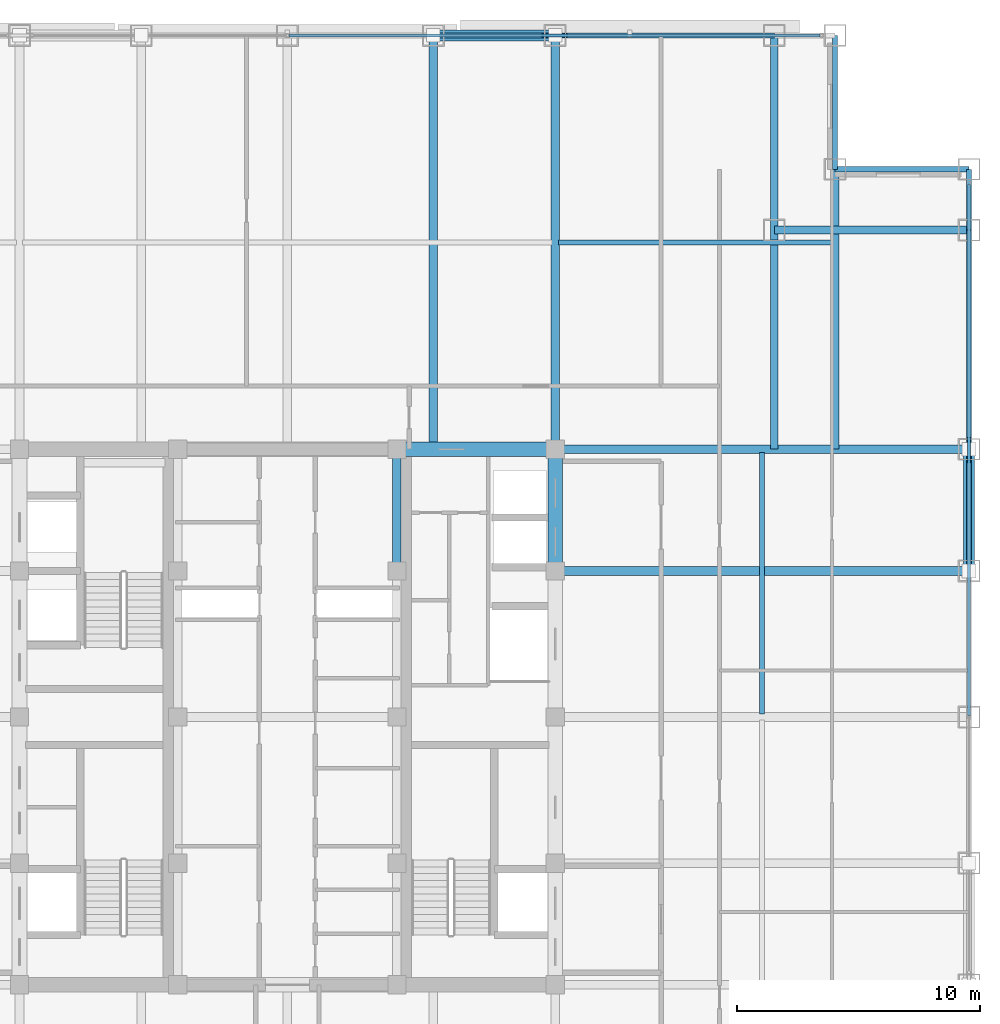
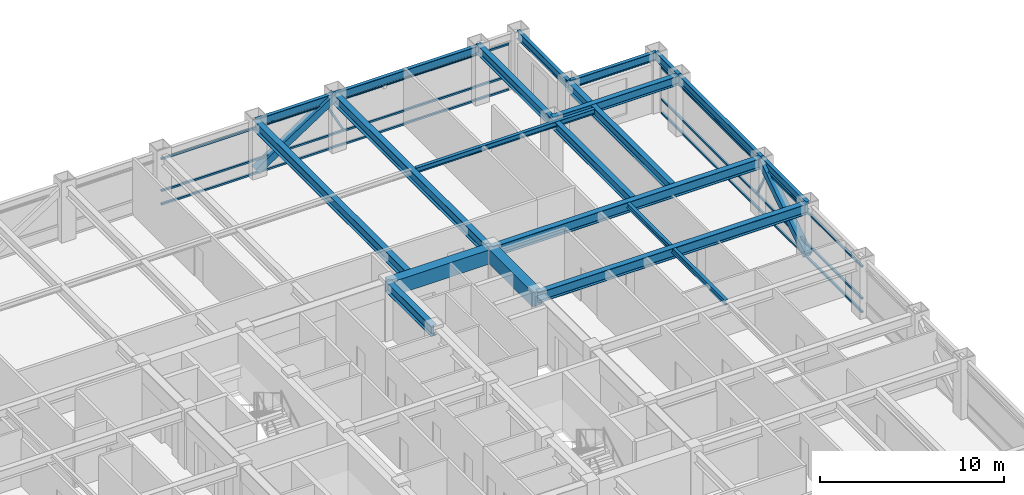
# One storey, part 15 of 27: 19 beams, 10 members, 2 elements without a shape of their own.
"""IFC4 building model written with IfcOpenShell, lengths in metres."""

from ifc_helpers import new_model, si_unit, direction, frame, origin, origin_2d, place, context, subcontext, project, spatial, rectangle, hollow_rectangle, i_section, extrude, source, transform, mapped, material, material_profile, profile_set, type_object, element, aggregate, save


model = new_model("IFC4")

# Units and contexts
model_context = context("Model", 3, precision=1e-05, world=origin(), true_north=direction((0.0, 1.0)))
body_context = subcontext(model_context, "Body", "Model", "MODEL_VIEW")
ifc_project = project(units=[si_unit("LENGTHUNIT", "METRE"), si_unit("AREAUNIT", "SQUARE_METRE"), si_unit("VOLUMEUNIT", "CUBIC_METRE"), si_unit("PLANEANGLEUNIT", "RADIAN"), si_unit("MASSUNIT", "GRAM", prefix="KILO")], contexts=[model_context])

# Site, building, storey
site_placement = place(None, origin())
site = spatial("IfcSite", under=ifc_project, at=site_placement, CompositionType="ELEMENT")
building_placement = place(site_placement, origin())
building = spatial("IfcBuilding", under=site, at=building_placement, Name="Khorayat Bourse Tower", CompositionType="ELEMENT")
storey_placement = place(building_placement, frame((0.0, 0.0, 317.5)))
storey = spatial("IfcBuildingStorey", under=building, at=storey_placement, Name="L75", CompositionType="ELEMENT", Elevation=317.5)

# Beams
ifc_material_1 = material(Name="Steel ASTM A992 Grade 50", Category="steel")
ifc_material_profile_1 = material_profile(ifc_material_1, i_section(OverallWidth=0.35498046875, OverallDepth=0.695068359375, WebThickness=0.015380859375, FlangeThickness=0.02490234375, FilletRadius=0.01806640625, at=origin_2d()), Name="W690X217")
ifc_profile_set_1 = profile_set([ifc_material_profile_1], Name="Steel ASTM A992 Grade 50")
beam_type_1 = type_object("IfcBeamType", Name="BM-GIRD-690", PredefinedType="BEAM", material=ifc_profile_set_1)
shared_shape_1 = source(origin(), body_context, "Body", "SweptSolid", [
    extrude(i_section(OverallWidth=0.35498046875, OverallDepth=0.695068359375, WebThickness=0.015380859375, FlangeThickness=0.02490234375, FilletRadius=0.01806640625, at=origin_2d()), origin(), (0.0, 0.0, 1.0), 5.0),
])
beam_1_placement = place(storey_placement, frame((4.5, 6.0, 3.4326171875), z_axis=(0.0, 1.0, 0.0), x_axis=(-1.0, 0.0, 0.0)))
element("IfcBeam", 1, at=beam_1_placement, inside=storey, type_object=beam_type_1, Name="L75 BM-GIRD-690 BM-L75-CRX-12", PredefinedType="BEAM", context=body_context, shape_type="MappedRepresentation", body=[
    mapped(shared_shape_1, transform((0.0, 0.0, 0.0), scale=1.0)),
])
ifc_material_profile_2 = material_profile(ifc_material_1, i_section(OverallWidth=0.324951171875, OverallDepth=0.615966796875, WebThickness=0.013916015625, FlangeThickness=0.021484375, FilletRadius=0.01611328125, at=origin_2d()), Name="W610X174")
ifc_profile_set_2 = profile_set([ifc_material_profile_2], Name="Steel ASTM A992 Grade 50")
beam_type_2 = type_object("IfcBeamType", Name="BM-GIRD-610", PredefinedType="BEAM", material=ifc_profile_set_2)
shared_shape_2 = source(origin(), body_context, "Body", "SweptSolid", [
    extrude(i_section(OverallWidth=0.324951171875, OverallDepth=0.615966796875, WebThickness=0.013916015625, FlangeThickness=0.021484375, FilletRadius=0.01611328125, at=origin_2d()), origin(), (0.0, 0.0, 1.0), 17.0),
])
beam_2_placement = place(storey_placement, frame((20.0, 11.0, 3.471923828125), z_axis=(0.0, 1.0, 0.0), x_axis=(-1.0, 0.0, 0.0)))
element("IfcBeam", 2, at=beam_2_placement, inside=storey, type_object=beam_type_2, Name="L75 BM-GIRD-610 BM-L75-CNRY-087", PredefinedType="BEAM", context=body_context, shape_type="MappedRepresentation", body=[
    mapped(shared_shape_2, transform((0.0, 0.0, 0.0), scale=1.0)),
])
ifc_material_2 = material(Name="Concrete C60/75", Category="concrete")
ifc_material_profile_3 = material_profile(ifc_material_2, rectangle(XDim=0.60009765625, YDim=0.949951171875, at=origin_2d()), Name="RC 600x950")
ifc_profile_set_3 = profile_set([ifc_material_profile_3], Name="Concrete C60/75")
beam_type_3 = type_object("IfcBeamType", Name="BM-COUP-950", PredefinedType="BEAM", material=ifc_profile_set_3)
shared_shape_3 = source(origin(), body_context, "Body", "SweptSolid", [
    extrude(rectangle(XDim=0.60009765625, YDim=0.949951171875, at=origin_2d()), origin(), (0.0, 0.0, 1.0), 5.0),
])
beam_3_placement = place(storey_placement, frame((11.0, 6.0, 3.304931640625), z_axis=(0.0, 1.0, 0.0), x_axis=(-1.0, 0.0, 0.0)))
element("IfcBeam", 3, at=beam_3_placement, inside=storey, type_object=beam_type_3, Name="L75 BM-COUP-950 BM-L75-CRX-16", PredefinedType="BEAM", context=body_context, shape_type="MappedRepresentation", body=[
    mapped(shared_shape_3, transform((0.0, 0.0, 0.0), scale=1.0)),
])
shared_shape_4 = source(origin(), body_context, "Body", "SweptSolid", [
    extrude(rectangle(XDim=0.60009765625, YDim=0.949951171875, at=origin_2d()), origin(), (0.0, 0.0, 1.0), 6.5),
])
beam_4_placement = place(storey_placement, frame((4.5, 11.0, 3.304931640625), z_axis=(1.0, 0.0, 0.0), x_axis=(0.0, 1.0, 0.0)))
element("IfcBeam", 4, at=beam_4_placement, inside=storey, type_object=beam_type_3, Name="L75 BM-COUP-950 BM-L75-CRY-22", PredefinedType="BEAM", context=body_context, shape_type="MappedRepresentation", body=[
    mapped(shared_shape_4, transform((0.0, 0.0, 0.0), scale=1.0)),
])

# Members
ifc_material_3 = material(Name="Steel EN 10025-4 S460M", Category="steel")
ifc_material_profile_4 = material_profile(ifc_material_3, hollow_rectangle(XDim=0.449951171875, YDim=0.449951171875, WallThickness=0.02490234375, at=origin_2d()), Name="HSS 450x450x25")
ifc_profile_set_4 = profile_set([ifc_material_profile_4], Name="Steel EN 10025-4 S460M")
member_type_1 = type_object("IfcMemberType", Name="MBR-TUBE-450", PredefinedType="BRACE", material=ifc_profile_set_4)
shared_shape_5 = source(origin(), body_context, "Body", "SweptSolid", [
    extrude(hollow_rectangle(XDim=0.449951171875, YDim=0.449951171875, WallThickness=0.02490234375, at=origin_2d()), origin(), (0.0, 0.0, 1.0), 5.979736328125),
])
for number, where, z_axis, x_axis, name in (
    (5, (6.0, 28.0, 0.25), (0.836141536525, 0.0, 0.548513747227), (0.0, 1.0, 0.0), "L75 Perimeter Tube Brace 04"),
    (6, (28.0, 6.0, 0.25), (0.0, 0.836141536525, 0.548513747227), (-1.0, 0.0, 0.0), "L75 Perimeter Tube Brace 08"),
):
    element("IfcMember", number, at=place(storey_placement, frame(where, z_axis=z_axis, x_axis=x_axis)), inside=storey, type_object=member_type_1, Name=name, PredefinedType="BRACE", context=body_context, shape_type="MappedRepresentation", body=[
        mapped(shared_shape_5, transform((0.0, 0.0, 0.0), scale=1.0)),
    ])

# Beams
shared_shape_6 = source(origin(), body_context, "Body", "SweptSolid", [
    extrude(i_section(OverallWidth=0.35498046875, OverallDepth=0.695068359375, WebThickness=0.015380859375, FlangeThickness=0.02490234375, FilletRadius=0.01806640625, at=origin_2d()), origin(), (0.0, 0.0, 1.0), 17.0),
])
for number, where, z_axis, x_axis, name in (
    (7, (6.0, 11.0, 3.3125), (0.0, 1.0, 0.0), (-1.0, 0.0, 0.0), "L75 BM-GIRD-690 BM-L75-RADY-070"),
    (8, (11.0, 11.0, 3.3125), (0.0, 1.0, 0.0), (-1.0, 0.0, 0.0), "L75 BM-GIRD-690 BM-L75-RADY-072"),
    (9, (11.0, 6.0, 3.4326171875), (1.0, 0.0, 0.0), (0.0, 1.0, 0.0), "L75 BM-GIRD-690 BM-L75-RADX-080"),
    (10, (11.0, 11.0, 3.4326171875), (1.0, 0.0, 0.0), (0.0, 1.0, 0.0), "L75 BM-GIRD-690 BM-L75-RADX-082"),
):
    element("IfcBeam", number, at=place(storey_placement, frame(where, z_axis=z_axis, x_axis=x_axis)), inside=storey, type_object=beam_type_1, Name=name, PredefinedType="BEAM", context=body_context, shape_type="MappedRepresentation", body=[
        mapped(shared_shape_6, transform((0.0, 0.0, 0.0), scale=1.0)),
    ])
shared_shape_7 = source(origin(), body_context, "Body", "SweptSolid", [
    extrude(i_section(OverallWidth=0.324951171875, OverallDepth=0.615966796875, WebThickness=0.013916015625, FlangeThickness=0.021484375, FilletRadius=0.01611328125, at=origin_2d()), origin(), (0.0, 0.0, 1.0), 11.5),
])
beam_5_placement = place(storey_placement, frame((22.5, 11.0, 3.471923828125), z_axis=(0.0, 1.0, 0.0), x_axis=(-1.0, 0.0, 0.0)))
element("IfcBeam", 11, at=beam_5_placement, inside=storey, type_object=beam_type_2, Name="L75 BM-GIRD-610 BM-L75-CNRY-091", PredefinedType="BEAM", context=body_context, shape_type="MappedRepresentation", body=[
    mapped(shared_shape_7, transform((0.0, 0.0, 0.0), scale=1.0)),
])
shared_shape_8 = source(origin(), body_context, "Body", "SweptSolid", [
    extrude(i_section(OverallWidth=0.324951171875, OverallDepth=0.615966796875, WebThickness=0.013916015625, FlangeThickness=0.021484375, FilletRadius=0.01611328125, at=origin_2d()), origin(), (0.0, 0.0, 1.0), 8.0),
])
beam_6_placement = place(storey_placement, frame((20.0, 20.0, 3.471923828125), z_axis=(1.0, 0.0, 0.0), x_axis=(0.0, 1.0, 0.0)))
element("IfcBeam", 12, at=beam_6_placement, inside=storey, type_object=beam_type_2, Name="L75 BM-GIRD-610 BM-L75-CNRX-094", PredefinedType="BEAM", context=body_context, shape_type="MappedRepresentation", body=[
    mapped(shared_shape_8, transform((0.0, 0.0, 0.0), scale=1.0)),
])
ifc_material_profile_5 = material_profile(ifc_material_1, i_section(OverallWidth=0.202880859375, OverallDepth=0.346923828125, WebThickness=0.0078125, FlangeThickness=0.013427734375, FilletRadius=0.010009765625, at=origin_2d()), Name="W360X64")
ifc_profile_set_5 = profile_set([ifc_material_profile_5], Name="Steel ASTM A992 Grade 50")
beam_type_4 = type_object("IfcBeamType", Name="BM-JOIST-360", PredefinedType="JOIST", material=ifc_profile_set_5)
shared_shape_9 = source(origin(), body_context, "Body", "SweptSolid", [
    extrude(i_section(OverallWidth=0.202880859375, OverallDepth=0.346923828125, WebThickness=0.0078125, FlangeThickness=0.013427734375, FilletRadius=0.010009765625, at=origin_2d()), origin(), (0.0, 0.0, 1.0), 11.240234375),
])
beam_7_placement = place(storey_placement, frame((11.1298828125, 19.5, 3.6064453125), z_axis=(1.0, 0.0, 0.0), x_axis=(0.0, 1.0, 0.0)))
element("IfcBeam", 13, at=beam_7_placement, inside=storey, type_object=beam_type_4, Name="L75 BM-JOIST-360 BM-L75-JSTX-101", PredefinedType="JOIST", context=body_context, shape_type="MappedRepresentation", body=[
    mapped(shared_shape_9, transform((0.0, 0.0, 0.0), scale=1.0)),
])
shared_shape_10 = source(origin(), body_context, "Body", "SweptSolid", [
    extrude(i_section(OverallWidth=0.202880859375, OverallDepth=0.346923828125, WebThickness=0.0078125, FlangeThickness=0.013427734375, FilletRadius=0.010009765625, at=origin_2d()), origin(), (0.0, 0.0, 1.0), 10.740234375),
])
beam_8_placement = place(storey_placement, frame((19.5, 0.1298828125, 3.6064453125), z_axis=(0.0, 1.0, 0.0), x_axis=(-1.0, 0.0, 0.0)))
element("IfcBeam", 14, at=beam_8_placement, inside=storey, type_object=beam_type_4, Name="L75 BM-JOIST-360 BM-L75-JSTY-105", PredefinedType="JOIST", context=body_context, shape_type="MappedRepresentation", body=[
    mapped(shared_shape_10, transform((0.0, 0.0, 0.0), scale=1.0)),
])
ifc_material_profile_6 = material_profile(ifc_material_1, i_section(OverallWidth=0.214111328125, OverallDepth=0.549072265625, WebThickness=0.0146484375, FlangeThickness=0.023681640625, FilletRadius=0.013916015625, at=origin_2d()), Name="W530X138")
ifc_profile_set_6 = profile_set([ifc_material_profile_6], Name="Steel ASTM A992 Grade 50")
beam_type_5 = type_object("IfcBeamType", Name="BM-SPAN-530", PredefinedType="SPANDREL", material=ifc_profile_set_6)
shared_shape_11 = source(origin(), body_context, "Body", "SweptSolid", [
    extrude(i_section(OverallWidth=0.214111328125, OverallDepth=0.549072265625, WebThickness=0.0146484375, FlangeThickness=0.023681640625, FilletRadius=0.013916015625, at=origin_2d()), origin(), (0.0, 0.0, 1.0), 2.5),
])
beam_9_placement = place(storey_placement, frame((28.0, 20.0, 3.505615234375), z_axis=(0.0, 1.0, 0.0), x_axis=(-1.0, 0.0, 0.0)))
element("IfcBeam", 15, at=beam_9_placement, inside=storey, type_object=beam_type_5, Name="L75 BM-SPAN-530 BM-L75-SPN-041", PredefinedType="SPANDREL", context=body_context, shape_type="MappedRepresentation", body=[
    mapped(shared_shape_11, transform((0.0, 0.0, 0.0), scale=1.0)),
])
shared_shape_12 = source(origin(), body_context, "Body", "SweptSolid", [
    extrude(i_section(OverallWidth=0.214111328125, OverallDepth=0.549072265625, WebThickness=0.0146484375, FlangeThickness=0.023681640625, FilletRadius=0.013916015625, at=origin_2d()), origin(), (0.0, 0.0, 1.0), 9.0),
])
for number, where, z_axis, x_axis, name in (
    (16, (28.0, 11.0, 3.505615234375), (0.0, 1.0, 0.0), (-1.0, 0.0, 0.0), "L75 BM-SPAN-530 BM-L75-SPN-040"),
    (17, (11.0, 28.0, 3.385498046875), (1.0, 0.0, 0.0), (0.0, 1.0, 0.0), "L75 BM-SPAN-530 BM-L75-SPN-045"),
):
    element("IfcBeam", number, at=place(storey_placement, frame(where, z_axis=z_axis, x_axis=x_axis)), inside=storey, type_object=beam_type_5, Name=name, PredefinedType="SPANDREL", context=body_context, shape_type="MappedRepresentation", body=[
        mapped(shared_shape_12, transform((0.0, 0.0, 0.0), scale=1.0)),
    ])
shared_shape_13 = source(origin(), body_context, "Body", "SweptSolid", [
    extrude(i_section(OverallWidth=0.214111328125, OverallDepth=0.549072265625, WebThickness=0.0146484375, FlangeThickness=0.023681640625, FilletRadius=0.013916015625, at=origin_2d()), origin(), (0.0, 0.0, 1.0), 5.0),
])
for number, where, z_axis, x_axis, name in (
    (18, (28.0, 6.0, 3.505615234375), (0.0, 1.0, 0.0), (-1.0, 0.0, 0.0), "L75 BM-SPAN-530 BM-L75-SPN-039"),
    (19, (6.0, 28.0, 3.385498046875), (1.0, 0.0, 0.0), (0.0, 1.0, 0.0), "L75 BM-SPAN-530 BM-L75-SPN-046"),
):
    element("IfcBeam", number, at=place(storey_placement, frame(where, z_axis=z_axis, x_axis=x_axis)), inside=storey, type_object=beam_type_5, Name=name, PredefinedType="SPANDREL", context=body_context, shape_type="MappedRepresentation", body=[
        mapped(shared_shape_13, transform((0.0, 0.0, 0.0), scale=1.0)),
    ])
shared_shape_14 = source(origin(), body_context, "Body", "SweptSolid", [
    extrude(i_section(OverallWidth=0.214111328125, OverallDepth=0.549072265625, WebThickness=0.0146484375, FlangeThickness=0.023681640625, FilletRadius=0.013916015625, at=origin_2d()), origin(), (0.0, 0.0, 1.0), 5.5),
])
for number, where, z_axis, x_axis, name in (
    (20, (22.5, 22.5, 3.505615234375), (1.0, 0.0, 0.0), (0.0, 1.0, 0.0), "L75 BM-SPAN-530 BM-L75-SPN-042"),
    (21, (22.5, 22.5, 3.505615234375), (0.0, 1.0, 0.0), (-1.0, 0.0, 0.0), "L75 BM-SPAN-530 BM-L75-SPN-043"),
):
    element("IfcBeam", number, at=place(storey_placement, frame(where, z_axis=z_axis, x_axis=x_axis)), inside=storey, type_object=beam_type_5, Name=name, PredefinedType="SPANDREL", context=body_context, shape_type="MappedRepresentation", body=[
        mapped(shared_shape_14, transform((0.0, 0.0, 0.0), scale=1.0)),
    ])

# Curtain wall, member
ifc_material_4 = material(Name="Aluminium EN AW-6063 T6", Category="aluminium")
curtain_wall_type = type_object("IfcCurtainWallType", Name="CW-SYS-04", PredefinedType="NOTDEFINED", material=ifc_material_4)
curtain_wall_1_placement = place(storey_placement, origin())
curtain_wall_1 = element("IfcCurtainWall", 22, at=curtain_wall_1_placement, inside=storey, type_object=curtain_wall_type, Name="L75 Curtain Wall CW-L75-N1", PredefinedType="NOTDEFINED")
ifc_material_profile_7 = material_profile(ifc_material_4, hollow_rectangle(XDim=0.1201171875, YDim=0.1201171875, WallThickness=0.0048828125, at=origin_2d()), Name="ALU 120x120x5")
ifc_profile_set_7 = profile_set([ifc_material_profile_7], Name="Aluminium EN AW-6063 T6")
member_type_2 = type_object("IfcMemberType", Name="CWM-DIAG-120", PredefinedType="MULLION", material=ifc_profile_set_7)
shared_shape_15 = source(origin(), body_context, "Body", "SweptSolid", [
    extrude(hollow_rectangle(XDim=0.1201171875, YDim=0.1201171875, WallThickness=0.0048828125, at=origin_2d()), origin(), (0.0, 0.0, 1.0), 2.0791015625),
])
member_1_placement = place(storey_placement, frame((11.4541015625, 28.0, 1.090087890625), z_axis=(-0.465717394116, 0.0, 0.884933505309), x_axis=(0.0, -1.0, 0.0)))
member_1 = element("IfcMember", 23, at=member_1_placement, type_object=member_type_2, Name="CW-L75-N1 Faceted Diagonal Mullion 2", PredefinedType="MULLION", context=body_context, shape_type="MappedRepresentation", body=[
    mapped(shared_shape_15, transform((0.0, 0.0, 0.0), scale=1.0)),
])

curtain_wall_2_placement = place(storey_placement, origin())
curtain_wall_2 = element("IfcCurtainWall", 24, at=curtain_wall_2_placement, inside=storey, type_object=curtain_wall_type, Name="L75 Curtain Wall CW-L75-E1", PredefinedType="NOTDEFINED")
member_2_placement = place(storey_placement, frame((28.0, 11.4541015625, 1.090087890625), z_axis=(0.0, -0.465717394116, 0.884933505309), x_axis=(1.0, 0.0, 0.0)))
member_2 = element("IfcMember", 25, at=member_2_placement, type_object=member_type_2, Name="CW-L75-E1 Faceted Diagonal Mullion 2", PredefinedType="MULLION", context=body_context, shape_type="MappedRepresentation", body=[
    mapped(shared_shape_15, transform((0.0, 0.0, 0.0), scale=1.0)),
])

# Member
ifc_material_profile_8 = material_profile(ifc_material_4, hollow_rectangle(XDim=0.1201171875, YDim=0.1201171875, WallThickness=0.0048828125, at=origin_2d()), Name="ALU 120x120x5")
ifc_profile_set_8 = profile_set([ifc_material_profile_8], Name="Aluminium EN AW-6063 T6")
member_type_3 = type_object("IfcMemberType", Name="CWT-HORZ-120", PredefinedType="USERDEFINED", material=ifc_profile_set_8)
shared_shape_16 = source(origin(), body_context, "Body", "SweptSolid", [
    extrude(hollow_rectangle(XDim=0.1201171875, YDim=0.1201171875, WallThickness=0.0048828125, at=origin_2d()), origin(), (0.0, 0.0, 1.0), 21.81982421875),
])
member_3_placement = place(storey_placement, frame((0.06005859375, 28.0, 0.06005859375), z_axis=(1.0, 0.0, 0.0), x_axis=(0.0, 1.0, 0.0)))
member_3 = element("IfcMember", 26, at=member_3_placement, type_object=member_type_3, Name="CW-L75-N1 Horizontal Transom 2-1", ObjectType="TRANSOM", PredefinedType="USERDEFINED", context=body_context, shape_type="MappedRepresentation", body=[
    mapped(shared_shape_16, transform((0.0, 0.0, 0.0), scale=1.0)),
])

member_4_placement = place(storey_placement, frame((0.06005859375, 28.0, 0.949951171875), z_axis=(1.0, 0.0, 0.0), x_axis=(0.0, 1.0, 0.0)))
member_4 = element("IfcMember", 27, at=member_4_placement, type_object=member_type_3, Name="CW-L75-N1 Horizontal Transom 2-2", ObjectType="TRANSOM", PredefinedType="USERDEFINED", context=body_context, shape_type="MappedRepresentation", body=[
    mapped(shared_shape_16, transform((0.0, 0.0, 0.0), scale=1.0)),
])

member_5_placement = place(storey_placement, frame((0.06005859375, 28.0, 3.070068359375), z_axis=(1.0, 0.0, 0.0), x_axis=(0.0, 1.0, 0.0)))
member_5 = element("IfcMember", 28, at=member_5_placement, type_object=member_type_3, Name="CW-L75-N1 Horizontal Transom 2-3", ObjectType="TRANSOM", PredefinedType="USERDEFINED", context=body_context, shape_type="MappedRepresentation", body=[
    mapped(shared_shape_16, transform((0.0, 0.0, 0.0), scale=1.0)),
])

aggregate(curtain_wall_1, [member_3, member_4, member_5, member_1])

member_6_placement = place(storey_placement, frame((28.0, 0.06005859375, 0.06005859375), z_axis=(0.0, 1.0, 0.0), x_axis=(-1.0, 0.0, 0.0)))
member_6 = element("IfcMember", 29, at=member_6_placement, type_object=member_type_3, Name="CW-L75-E1 Horizontal Transom 2-1", ObjectType="TRANSOM", PredefinedType="USERDEFINED", context=body_context, shape_type="MappedRepresentation", body=[
    mapped(shared_shape_16, transform((0.0, 0.0, 0.0), scale=1.0)),
])

member_7_placement = place(storey_placement, frame((28.0, 0.06005859375, 0.949951171875), z_axis=(0.0, 1.0, 0.0), x_axis=(-1.0, 0.0, 0.0)))
member_7 = element("IfcMember", 30, at=member_7_placement, type_object=member_type_3, Name="CW-L75-E1 Horizontal Transom 2-2", ObjectType="TRANSOM", PredefinedType="USERDEFINED", context=body_context, shape_type="MappedRepresentation", body=[
    mapped(shared_shape_16, transform((0.0, 0.0, 0.0), scale=1.0)),
])

member_8_placement = place(storey_placement, frame((28.0, 0.06005859375, 3.070068359375), z_axis=(0.0, 1.0, 0.0), x_axis=(-1.0, 0.0, 0.0)))
member_8 = element("IfcMember", 31, at=member_8_placement, type_object=member_type_3, Name="CW-L75-E1 Horizontal Transom 2-3", ObjectType="TRANSOM", PredefinedType="USERDEFINED", context=body_context, shape_type="MappedRepresentation", body=[
    mapped(shared_shape_16, transform((0.0, 0.0, 0.0), scale=1.0)),
])

aggregate(curtain_wall_2, [member_6, member_7, member_8, member_2])

save(model, "model.ifc")
